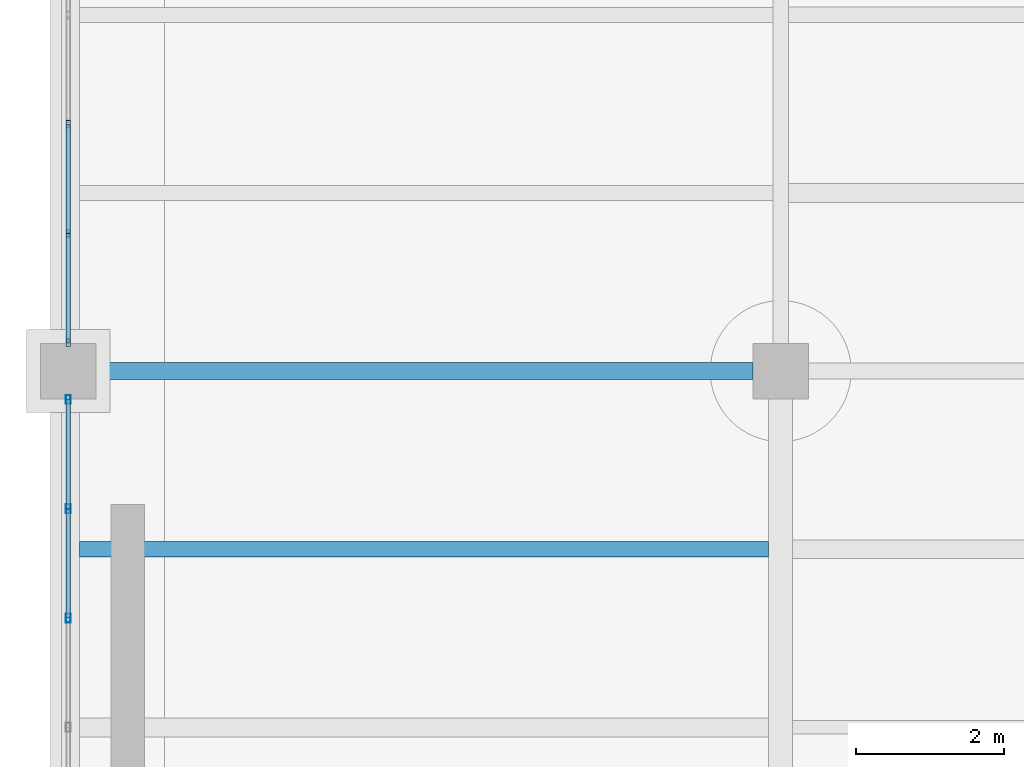
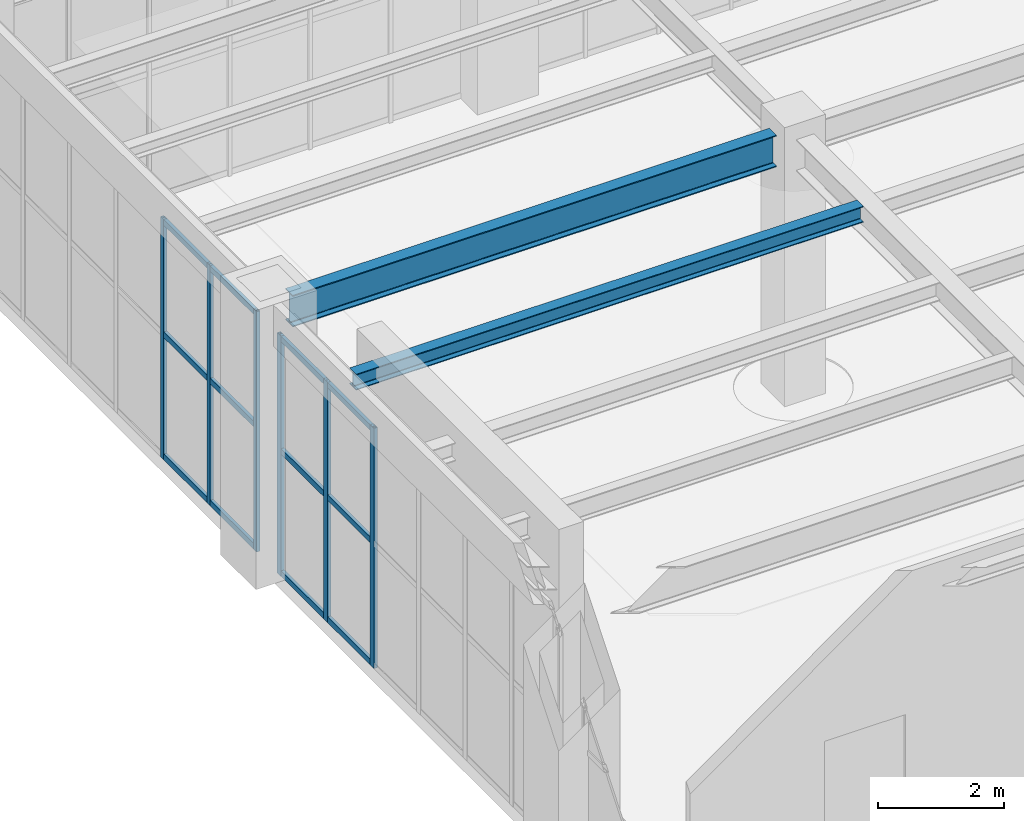
# One storey, part 29 of 164: 18 members, 2 beams, 2 elements without a shape of their own.
"""IFC4 building model written with IfcOpenShell, lengths in metres."""

from ifc_helpers import new_model, si_unit, direction, frame, origin, origin_2d, place, context, subcontext, project, spatial, hollow_rectangle, i_section, extrude, material, material_profile, profile_set, type_object, element, aggregate, save


model = new_model("IFC4")

# Units and contexts
model_context = context("Model", 3, precision=1e-05, world=origin(), true_north=direction((0.0, 1.0)))
body_context = subcontext(model_context, "Body", "Model", "MODEL_VIEW")
ifc_project = project(units=[si_unit("LENGTHUNIT", "METRE"), si_unit("AREAUNIT", "SQUARE_METRE"), si_unit("VOLUMEUNIT", "CUBIC_METRE"), si_unit("PLANEANGLEUNIT", "RADIAN"), si_unit("MASSUNIT", "GRAM", prefix="KILO")], contexts=[model_context])

# Site, building, storey
site_placement = place(None, origin())
site = spatial("IfcSite", under=ifc_project, at=site_placement, CompositionType="ELEMENT")
building_placement = place(site_placement, origin())
building = spatial("IfcBuilding", under=site, at=building_placement, Name="Mavantir Sound Aquarium", CompositionType="ELEMENT")
storey_placement = place(building_placement, origin())
storey = spatial("IfcBuildingStorey", under=building, at=storey_placement, Name="L00", CompositionType="ELEMENT", Elevation=0.0)

# Beams
ifc_material_1 = material(Name="Structural Steel ASTM A992 Gr50", Category="steel")
ifc_material_profile_1 = material_profile(ifc_material_1, i_section(OverallWidth=0.205078125, OverallDepth=0.31005859375, WebThickness=0.009521484375, FlangeThickness=0.016357421875, FilletRadius=0.012939453125, at=origin_2d()), Name="W310X74")
ifc_profile_set_1 = profile_set([ifc_material_profile_1], Name="Structural Steel ASTM A992 Gr50")
beam_type_1 = type_object("IfcBeamType", Name="BM-W310X74-I", PredefinedType="JOIST", material=ifc_profile_set_1)
beam_1_placement = place(storey_placement, frame((0.152587890625, 16.800048828125, 4.94091796875), z_axis=(1.0, 0.0, 0.0), x_axis=(0.0, 1.0, 0.0)))
element("IfcBeam", 1, at=beam_1_placement, inside=storey, type_object=beam_type_1, Name="L00 secondary floor joist SJ-31 491", PredefinedType="JOIST", context=body_context, shape_type="SweptSolid", body=[
    extrude(i_section(OverallWidth=0.205078125, OverallDepth=0.31005859375, WebThickness=0.009521484375, FlangeThickness=0.016357421875, FilletRadius=0.012939453125, at=origin_2d()), origin(), (0.0, 0.0, 1.0), 9.285400390625),
])
ifc_material_profile_2 = material_profile(ifc_material_1, i_section(OverallWidth=0.22900390625, OverallDepth=0.612060546875, WebThickness=0.011962890625, FlangeThickness=0.01953125, FilletRadius=0.01904296875, at=origin_2d()), Name="W610X125")
ifc_profile_set_2 = profile_set([ifc_material_profile_2], Name="Structural Steel ASTM A992 Gr50")
beam_type_2 = type_object("IfcBeamType", Name="BM-W610X125-I", PredefinedType="BEAM", material=ifc_profile_set_2)
beam_2_placement = place(storey_placement, frame((0.375, 19.199951171875, 4.7900390625), z_axis=(1.0, 0.0, 0.0), x_axis=(0.0, 1.0, 0.0)))
element("IfcBeam", 2, at=beam_2_placement, inside=storey, type_object=beam_type_2, Name="L00 primary beam SB-61B 897", PredefinedType="BEAM", context=body_context, shape_type="SweptSolid", body=[
    extrude(i_section(OverallWidth=0.22900390625, OverallDepth=0.612060546875, WebThickness=0.011962890625, FlangeThickness=0.01953125, FilletRadius=0.01904296875, at=origin_2d()), origin(), (0.0, 0.0, 1.0), 8.85009765625),
])

# Curtain wall, members
ifc_material_2 = material(Name="Anodised Marine Aluminium and Low-E Glass", Category="aluminium")
curtain_wall_type_1 = type_object("IfcCurtainWallType", Name="CW-T11", PredefinedType="USERDEFINED", material=ifc_material_2)
curtain_wall_1_placement = place(storey_placement, origin())
curtain_wall_1 = element("IfcCurtainWall", 3, at=curtain_wall_1_placement, inside=storey, type_object=curtain_wall_type_1, Name="L00 unitised curtain wall CW-11 11", ObjectType="UNITISED GLAZING", PredefinedType="USERDEFINED")
ifc_material_3 = material(Name="Anodised Marine Aluminium 6063-T6", Category="aluminium")
ifc_material_profile_3 = material_profile(ifc_material_3, hollow_rectangle(XDim=0.06005859375, YDim=0.10009765625, WallThickness=0.00390625, at=origin_2d()), Name="ALU-MULLION-100X60")
ifc_profile_set_3 = profile_set([ifc_material_profile_3], Name="Anodised Marine Aluminium 6063-T6")
member_type_1 = type_object("IfcMemberType", Name="CW-MUL-100", PredefinedType="MULLION", material=ifc_profile_set_3)
member_1_placement = place(storey_placement, frame((0.0, 22.527587890625, 0.0), z_axis=(0.0, 0.0, 1.0), x_axis=(1.0, 0.0, 0.0)))
member_1 = element("IfcMember", 4, at=member_1_placement, type_object=member_type_1, Name="CW-L00-011 vertical mullion 5", PredefinedType="MULLION", context=body_context, shape_type="SweptSolid", body=[
    extrude(hollow_rectangle(XDim=0.06005859375, YDim=0.10009765625, WallThickness=0.00390625, at=origin_2d()), origin(), (0.0, 0.0, 1.0), 4.64892578125),
])
member_2_placement = place(storey_placement, frame((0.0, 21.055419921875, 0.0), z_axis=(0.0, 0.0, 1.0), x_axis=(1.0, 0.0, 0.0)))
member_2 = element("IfcMember", 5, at=member_2_placement, type_object=member_type_1, Name="CW-L00-011 vertical mullion 6", PredefinedType="MULLION", context=body_context, shape_type="SweptSolid", body=[
    extrude(hollow_rectangle(XDim=0.06005859375, YDim=0.10009765625, WallThickness=0.00390625, at=origin_2d()), origin(), (0.0, 0.0, 1.0), 4.64892578125),
])
member_3_placement = place(storey_placement, frame((0.0, 19.5830078125, 0.0), z_axis=(0.0, 0.0, 1.0), x_axis=(1.0, 0.0, 0.0)))
member_3 = element("IfcMember", 6, at=member_3_placement, type_object=member_type_1, Name="CW-L00-011 vertical mullion 7", PredefinedType="MULLION", context=body_context, shape_type="SweptSolid", body=[
    extrude(hollow_rectangle(XDim=0.06005859375, YDim=0.10009765625, WallThickness=0.00390625, at=origin_2d()), origin(), (0.0, 0.0, 1.0), 4.64892578125),
])

curtain_wall_type_2 = type_object("IfcCurtainWallType", Name="CW-T12", PredefinedType="USERDEFINED", material=ifc_material_2)
curtain_wall_2_placement = place(storey_placement, origin())
curtain_wall_2 = element("IfcCurtainWall", 7, at=curtain_wall_2_placement, inside=storey, type_object=curtain_wall_type_2, Name="L00 unitised curtain wall CW-12 12", ObjectType="UNITISED GLAZING", PredefinedType="USERDEFINED")
ifc_material_profile_4 = material_profile(ifc_material_3, hollow_rectangle(XDim=0.06494140625, YDim=0.1201171875, WallThickness=0.00390625, at=origin_2d()), Name="ALU-MULLION-120X65")
ifc_profile_set_4 = profile_set([ifc_material_profile_4], Name="Anodised Marine Aluminium 6063-T6")
member_type_2 = type_object("IfcMemberType", Name="CW-MUL-120", PredefinedType="MULLION", material=ifc_profile_set_4)
member_4_placement = place(storey_placement, frame((0.0, 18.81689453125, 0.0), z_axis=(0.0, 0.0, 1.0), x_axis=(1.0, 0.0, 0.0)))
member_4 = element("IfcMember", 8, at=member_4_placement, type_object=member_type_2, Name="CW-L00-012 vertical mullion 1", PredefinedType="MULLION", context=body_context, shape_type="SweptSolid", body=[
    extrude(hollow_rectangle(XDim=0.06494140625, YDim=0.1201171875, WallThickness=0.00390625, at=origin_2d()), origin(), (0.0, 0.0, 1.0), 4.64892578125),
])
member_5_placement = place(storey_placement, frame((0.0, 17.3447265625, 0.0), z_axis=(0.0, 0.0, 1.0), x_axis=(1.0, 0.0, 0.0)))
member_5 = element("IfcMember", 9, at=member_5_placement, type_object=member_type_2, Name="CW-L00-012 vertical mullion 2", PredefinedType="MULLION", context=body_context, shape_type="SweptSolid", body=[
    extrude(hollow_rectangle(XDim=0.06494140625, YDim=0.1201171875, WallThickness=0.00390625, at=origin_2d()), origin(), (0.0, 0.0, 1.0), 4.64892578125),
])
member_6_placement = place(storey_placement, frame((0.0, 15.872314453125, 0.0), z_axis=(0.0, 0.0, 1.0), x_axis=(1.0, 0.0, 0.0)))
member_6 = element("IfcMember", 10, at=member_6_placement, type_object=member_type_2, Name="CW-L00-012 vertical mullion 3", PredefinedType="MULLION", context=body_context, shape_type="SweptSolid", body=[
    extrude(hollow_rectangle(XDim=0.06494140625, YDim=0.1201171875, WallThickness=0.00390625, at=origin_2d()), origin(), (0.0, 0.0, 1.0), 4.64892578125),
])

# Member
ifc_material_profile_5 = material_profile(ifc_material_3, hollow_rectangle(XDim=0.06005859375, YDim=0.110107421875, WallThickness=0.00390625, at=origin_2d()), Name="ALU-TRANSOM-110X60")
ifc_profile_set_5 = profile_set([ifc_material_profile_5], Name="Anodised Marine Aluminium 6063-T6")
member_type_3 = type_object("IfcMemberType", Name="CW-TRN-110", PredefinedType="USERDEFINED", material=ifc_profile_set_5)
member_7_placement = place(storey_placement, frame((0.0, 22.527587890625, 0.054931640625), z_axis=(0.0, -1.0, 0.0), x_axis=(1.0, 0.0, 0.0)))
member_7 = element("IfcMember", 11, at=member_7_placement, type_object=member_type_3, Name="CW-L00-011 transom 5.1", ObjectType="TRANSOM", PredefinedType="USERDEFINED", context=body_context, shape_type="SweptSolid", body=[
    extrude(hollow_rectangle(XDim=0.06005859375, YDim=0.110107421875, WallThickness=0.00390625, at=origin_2d()), origin(), (0.0, 0.0, 1.0), 1.47216796875),
])

member_8_placement = place(storey_placement, frame((0.0, 22.527587890625, 2.41748046875), z_axis=(0.0, -1.0, 0.0), x_axis=(1.0, 0.0, 0.0)))
member_8 = element("IfcMember", 12, at=member_8_placement, type_object=member_type_3, Name="CW-L00-011 transom 5.2", ObjectType="TRANSOM", PredefinedType="USERDEFINED", context=body_context, shape_type="SweptSolid", body=[
    extrude(hollow_rectangle(XDim=0.06005859375, YDim=0.110107421875, WallThickness=0.00390625, at=origin_2d()), origin(), (0.0, 0.0, 1.0), 1.47216796875),
])

member_9_placement = place(storey_placement, frame((0.0, 22.527587890625, 4.593994140625), z_axis=(0.0, -1.0, 0.0), x_axis=(1.0, 0.0, 0.0)))
member_9 = element("IfcMember", 13, at=member_9_placement, type_object=member_type_3, Name="CW-L00-011 transom 5.3", ObjectType="TRANSOM", PredefinedType="USERDEFINED", context=body_context, shape_type="SweptSolid", body=[
    extrude(hollow_rectangle(XDim=0.06005859375, YDim=0.110107421875, WallThickness=0.00390625, at=origin_2d()), origin(), (0.0, 0.0, 1.0), 1.47216796875),
])

member_10_placement = place(storey_placement, frame((0.0, 21.055419921875, 0.054931640625), z_axis=(0.0, -1.0, 0.0), x_axis=(1.0, 0.0, 0.0)))
member_10 = element("IfcMember", 14, at=member_10_placement, type_object=member_type_3, Name="CW-L00-011 transom 6.1", ObjectType="TRANSOM", PredefinedType="USERDEFINED", context=body_context, shape_type="SweptSolid", body=[
    extrude(hollow_rectangle(XDim=0.06005859375, YDim=0.110107421875, WallThickness=0.00390625, at=origin_2d()), origin(), (0.0, 0.0, 1.0), 1.472412109375),
])

member_11_placement = place(storey_placement, frame((0.0, 21.055419921875, 2.41748046875), z_axis=(0.0, -1.0, 0.0), x_axis=(1.0, 0.0, 0.0)))
member_11 = element("IfcMember", 15, at=member_11_placement, type_object=member_type_3, Name="CW-L00-011 transom 6.2", ObjectType="TRANSOM", PredefinedType="USERDEFINED", context=body_context, shape_type="SweptSolid", body=[
    extrude(hollow_rectangle(XDim=0.06005859375, YDim=0.110107421875, WallThickness=0.00390625, at=origin_2d()), origin(), (0.0, 0.0, 1.0), 1.472412109375),
])

member_12_placement = place(storey_placement, frame((0.0, 21.055419921875, 4.593994140625), z_axis=(0.0, -1.0, 0.0), x_axis=(1.0, 0.0, 0.0)))
member_12 = element("IfcMember", 16, at=member_12_placement, type_object=member_type_3, Name="CW-L00-011 transom 6.3", ObjectType="TRANSOM", PredefinedType="USERDEFINED", context=body_context, shape_type="SweptSolid", body=[
    extrude(hollow_rectangle(XDim=0.06005859375, YDim=0.110107421875, WallThickness=0.00390625, at=origin_2d()), origin(), (0.0, 0.0, 1.0), 1.472412109375),
])

aggregate(curtain_wall_1, [member_1, member_2, member_3, member_7, member_8, member_9, member_10, member_11, member_12])

member_13_placement = place(storey_placement, frame((0.0, 18.81689453125, 0.054931640625), z_axis=(0.0, -1.0, 0.0), x_axis=(1.0, 0.0, 0.0)))
member_13 = element("IfcMember", 17, at=member_13_placement, type_object=member_type_3, Name="CW-L00-012 transom 1.1", ObjectType="TRANSOM", PredefinedType="USERDEFINED", context=body_context, shape_type="SweptSolid", body=[
    extrude(hollow_rectangle(XDim=0.06005859375, YDim=0.110107421875, WallThickness=0.00390625, at=origin_2d()), origin(), (0.0, 0.0, 1.0), 1.47216796875),
])

member_14_placement = place(storey_placement, frame((0.0, 18.81689453125, 2.41748046875), z_axis=(0.0, -1.0, 0.0), x_axis=(1.0, 0.0, 0.0)))
member_14 = element("IfcMember", 18, at=member_14_placement, type_object=member_type_3, Name="CW-L00-012 transom 1.2", ObjectType="TRANSOM", PredefinedType="USERDEFINED", context=body_context, shape_type="SweptSolid", body=[
    extrude(hollow_rectangle(XDim=0.06005859375, YDim=0.110107421875, WallThickness=0.00390625, at=origin_2d()), origin(), (0.0, 0.0, 1.0), 1.47216796875),
])

member_15_placement = place(storey_placement, frame((0.0, 18.81689453125, 4.593994140625), z_axis=(0.0, -1.0, 0.0), x_axis=(1.0, 0.0, 0.0)))
member_15 = element("IfcMember", 19, at=member_15_placement, type_object=member_type_3, Name="CW-L00-012 transom 1.3", ObjectType="TRANSOM", PredefinedType="USERDEFINED", context=body_context, shape_type="SweptSolid", body=[
    extrude(hollow_rectangle(XDim=0.06005859375, YDim=0.110107421875, WallThickness=0.00390625, at=origin_2d()), origin(), (0.0, 0.0, 1.0), 1.47216796875),
])

member_16_placement = place(storey_placement, frame((0.0, 17.3447265625, 0.054931640625), z_axis=(0.0, -1.0, 0.0), x_axis=(1.0, 0.0, 0.0)))
member_16 = element("IfcMember", 20, at=member_16_placement, type_object=member_type_3, Name="CW-L00-012 transom 2.1", ObjectType="TRANSOM", PredefinedType="USERDEFINED", context=body_context, shape_type="SweptSolid", body=[
    extrude(hollow_rectangle(XDim=0.06005859375, YDim=0.110107421875, WallThickness=0.00390625, at=origin_2d()), origin(), (0.0, 0.0, 1.0), 1.472412109375),
])

member_17_placement = place(storey_placement, frame((0.0, 17.3447265625, 2.41748046875), z_axis=(0.0, -1.0, 0.0), x_axis=(1.0, 0.0, 0.0)))
member_17 = element("IfcMember", 21, at=member_17_placement, type_object=member_type_3, Name="CW-L00-012 transom 2.2", ObjectType="TRANSOM", PredefinedType="USERDEFINED", context=body_context, shape_type="SweptSolid", body=[
    extrude(hollow_rectangle(XDim=0.06005859375, YDim=0.110107421875, WallThickness=0.00390625, at=origin_2d()), origin(), (0.0, 0.0, 1.0), 1.472412109375),
])

member_18_placement = place(storey_placement, frame((0.0, 17.3447265625, 4.593994140625), z_axis=(0.0, -1.0, 0.0), x_axis=(1.0, 0.0, 0.0)))
member_18 = element("IfcMember", 22, at=member_18_placement, type_object=member_type_3, Name="CW-L00-012 transom 2.3", ObjectType="TRANSOM", PredefinedType="USERDEFINED", context=body_context, shape_type="SweptSolid", body=[
    extrude(hollow_rectangle(XDim=0.06005859375, YDim=0.110107421875, WallThickness=0.00390625, at=origin_2d()), origin(), (0.0, 0.0, 1.0), 1.472412109375),
])

aggregate(curtain_wall_2, [member_4, member_5, member_6, member_13, member_14, member_15, member_16, member_17, member_18])

save(model, "model.ifc")
